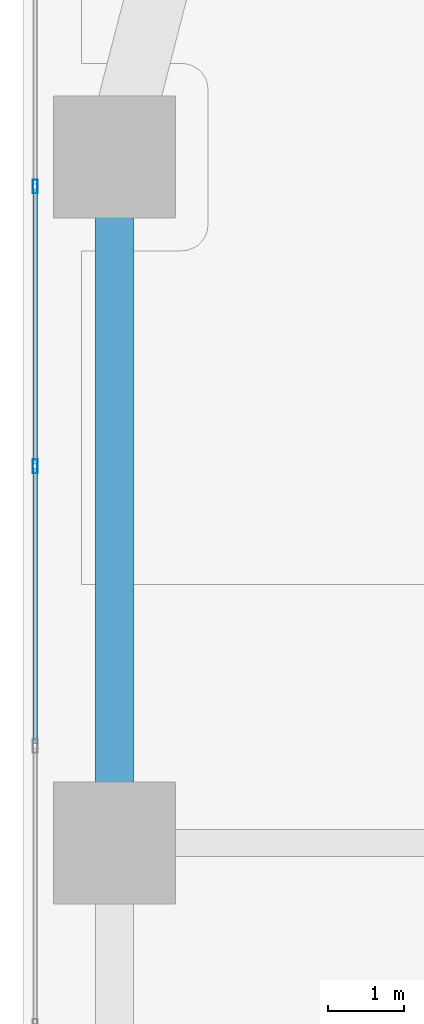
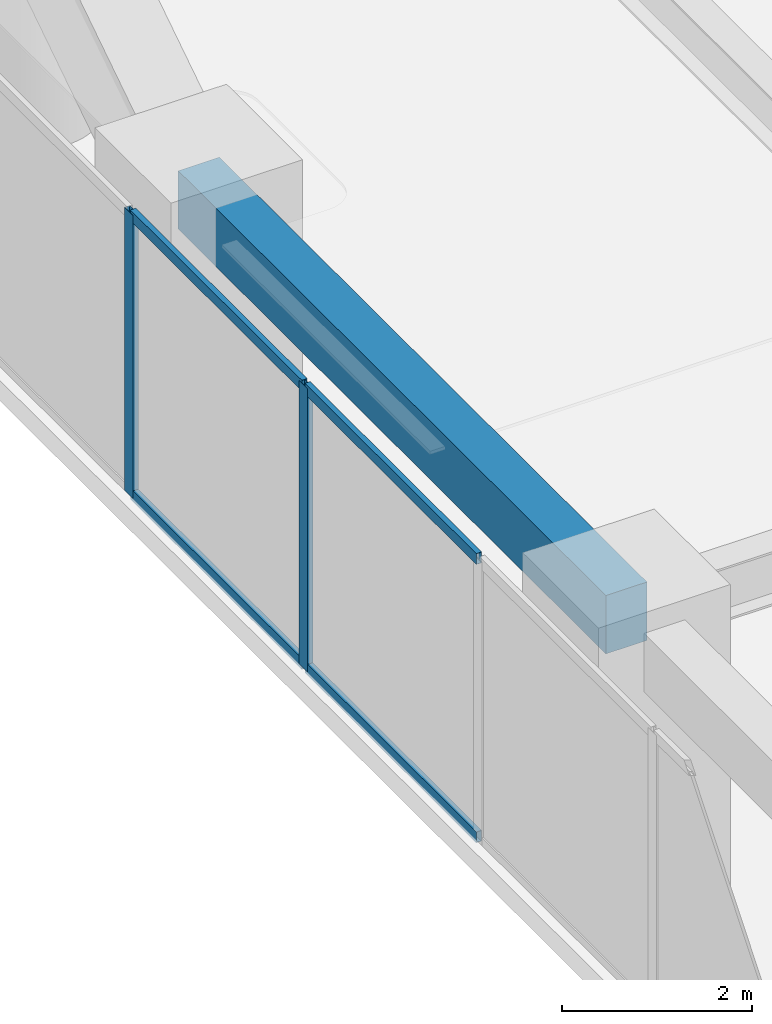
# One storey, part 12 of 28: 6 members, 1 beam, 1 element without a shape of its own.
"""IFC4 building model written with IfcOpenShell, lengths in metres."""

from ifc_helpers import new_model, si_unit, direction, frame, origin, origin_2d, place, context, subcontext, project, spatial, rectangle, hollow_rectangle, extrude, material, layer, layer_set, material_profile, profile_set, type_object, element, aggregate, save


model = new_model("IFC4")

# Units and contexts
model_context = context("Model", 3, precision=1e-05, world=origin(), true_north=direction((0.0, 1.0)))
body_context = subcontext(model_context, "Body", "Model", "MODEL_VIEW")
ifc_project = project(units=[si_unit("LENGTHUNIT", "METRE"), si_unit("AREAUNIT", "SQUARE_METRE"), si_unit("VOLUMEUNIT", "CUBIC_METRE"), si_unit("PLANEANGLEUNIT", "RADIAN"), si_unit("MASSUNIT", "GRAM", prefix="KILO")], contexts=[model_context])

# Site, building, storey
site_placement = place(None, origin())
site = spatial("IfcSite", under=ifc_project, at=site_placement, CompositionType="ELEMENT")
building_placement = place(site_placement, origin())
building = spatial("IfcBuilding", under=site, at=building_placement, Name="Kiyonajd Concourse Tower", CompositionType="ELEMENT")
storey_placement = place(building_placement, frame((0.0, 0.0, 60.60009765625)))
storey = spatial("IfcBuildingStorey", under=building, at=storey_placement, Name="L16", CompositionType="ELEMENT", Elevation=60.60009765625)

# Beam
ifc_material_1 = material(Name="Precast concrete C50/60", Category="concrete")
ifc_material_profile_1 = material_profile(ifc_material_1, rectangle(XDim=0.5, YDim=0.75, at=origin_2d()), Name="RCBM-500x750")
ifc_profile_set_1 = profile_set([ifc_material_profile_1], Name="Precast concrete C50/60")
beam_type = type_object("IfcBeamType", Name="BM-SPAN-RC", PredefinedType="SPANDREL", material=ifc_profile_set_1)
beam_placement = place(storey_placement, frame((19.199951171875, 53.39990234375, 3.264892578125), z_axis=(0.0, -1.0, 0.0), x_axis=(1.0, 0.0, 0.0)))
element("IfcBeam", 1, at=beam_placement, inside=storey, type_object=beam_type, Name="L16 Perimeter Bundled Tube Spandrel", PredefinedType="SPANDREL", context=body_context, shape_type="SweptSolid", body=[
    extrude(rectangle(XDim=0.5, YDim=0.75, at=origin_2d()), origin(), (0.0, 0.0, 1.0), 9.0),
])

# Curtain wall, members
ifc_material_2 = material(Name="Thermally Broken Anodised Aluminium", Category="aluminium")
ifc_layer = layer(ifc_material_2, 0.179931640625)
ifc_layer_set = layer_set([ifc_layer], Name="Thermally Broken Anodised Aluminium")
curtain_wall_type = type_object("IfcCurtainWallType", Name="CW-SYS-02", PredefinedType="NOTDEFINED", material=ifc_layer_set)
curtain_wall_placement = place(storey_placement, origin())
curtain_wall = element("IfcCurtainWall", 2, at=curtain_wall_placement, inside=storey, type_object=curtain_wall_type, Name="L16 Unitised Curtain Wall CW2", PredefinedType="NOTDEFINED")
ifc_material_profile_2 = material_profile(ifc_material_2, hollow_rectangle(XDim=0.06494140625, YDim=0.179931640625, WallThickness=0.00390625, at=origin_2d()), Name="MULL-65x180")
ifc_profile_set_2 = profile_set([ifc_material_profile_2], Name="Thermally Broken Anodised Aluminium")
member_type_1 = type_object("IfcMemberType", Name="MB-CW-MULL1", PredefinedType="MULLION", material=ifc_profile_set_2)
member_1_placement = place(storey_placement, frame((18.159912109375, 49.342529296875, 0.0), z_axis=(0.0, 0.0, 1.0), x_axis=(-1.0, 0.0, 0.0)))
member_1 = element("IfcMember", 3, at=member_1_placement, type_object=member_type_1, Name="CW2 mullion 5", PredefinedType="MULLION", context=body_context, shape_type="SweptSolid", body=[
    extrude(hollow_rectangle(XDim=0.06494140625, YDim=0.179931640625, WallThickness=0.00390625, at=origin_2d()), origin(), (0.0, 0.0, 1.0), 3.639892578125),
])
member_2_placement = place(storey_placement, frame((18.159912109375, 53.015869140625, 0.0), z_axis=(0.0, 0.0, 1.0), x_axis=(-1.0, 0.0, 0.0)))
member_2 = element("IfcMember", 4, at=member_2_placement, type_object=member_type_1, Name="CW2 mullion 6", PredefinedType="MULLION", context=body_context, shape_type="SweptSolid", body=[
    extrude(hollow_rectangle(XDim=0.06494140625, YDim=0.179931640625, WallThickness=0.00390625, at=origin_2d()), origin(), (0.0, 0.0, 1.0), 3.639892578125),
])
ifc_material_profile_3 = material_profile(ifc_material_2, hollow_rectangle(XDim=0.06494140625, YDim=0.139892578125, WallThickness=0.00390625, at=origin_2d()), Name="TRAN-65x140")
ifc_profile_set_3 = profile_set([ifc_material_profile_3], Name="Thermally Broken Anodised Aluminium")
member_type_2 = type_object("IfcMemberType", Name="MB-CW-TRAN1", PredefinedType="USERDEFINED", material=ifc_profile_set_3)
member_3_placement = place(storey_placement, frame((18.159912109375, 45.701904296875, 0.032470703125), z_axis=(0.0, 1.0, 0.0), x_axis=(-1.0, 0.0, 0.0)))
member_3 = element("IfcMember", 5, at=member_3_placement, type_object=member_type_2, Name="CW2 transom 4.1", ObjectType="TRANSOM", PredefinedType="USERDEFINED", context=body_context, shape_type="SweptSolid", body=[
    extrude(hollow_rectangle(XDim=0.06494140625, YDim=0.139892578125, WallThickness=0.00390625, at=origin_2d()), origin(), (0.0, 0.0, 1.0), 3.608154296875),
])
member_4_placement = place(storey_placement, frame((18.159912109375, 45.701904296875, 3.607421875), z_axis=(0.0, 1.0, 0.0), x_axis=(-1.0, 0.0, 0.0)))
member_4 = element("IfcMember", 6, at=member_4_placement, type_object=member_type_2, Name="CW2 transom 4.2", ObjectType="TRANSOM", PredefinedType="USERDEFINED", context=body_context, shape_type="SweptSolid", body=[
    extrude(hollow_rectangle(XDim=0.06494140625, YDim=0.139892578125, WallThickness=0.00390625, at=origin_2d()), origin(), (0.0, 0.0, 1.0), 3.608154296875),
])
member_5_placement = place(storey_placement, frame((18.159912109375, 49.375, 0.032470703125), z_axis=(0.0, 1.0, 0.0), x_axis=(-1.0, 0.0, 0.0)))
member_5 = element("IfcMember", 7, at=member_5_placement, type_object=member_type_2, Name="CW2 transom 5.1", ObjectType="TRANSOM", PredefinedType="USERDEFINED", context=body_context, shape_type="SweptSolid", body=[
    extrude(hollow_rectangle(XDim=0.06494140625, YDim=0.139892578125, WallThickness=0.00390625, at=origin_2d()), origin(), (0.0, 0.0, 1.0), 3.608154296875),
])
member_6_placement = place(storey_placement, frame((18.159912109375, 49.375, 3.607421875), z_axis=(0.0, 1.0, 0.0), x_axis=(-1.0, 0.0, 0.0)))
member_6 = element("IfcMember", 8, at=member_6_placement, type_object=member_type_2, Name="CW2 transom 5.2", ObjectType="TRANSOM", PredefinedType="USERDEFINED", context=body_context, shape_type="SweptSolid", body=[
    extrude(hollow_rectangle(XDim=0.06494140625, YDim=0.139892578125, WallThickness=0.00390625, at=origin_2d()), origin(), (0.0, 0.0, 1.0), 3.608154296875),
])
aggregate(curtain_wall, [member_1, member_2, member_3, member_4, member_5, member_6])

save(model, "model.ifc")
